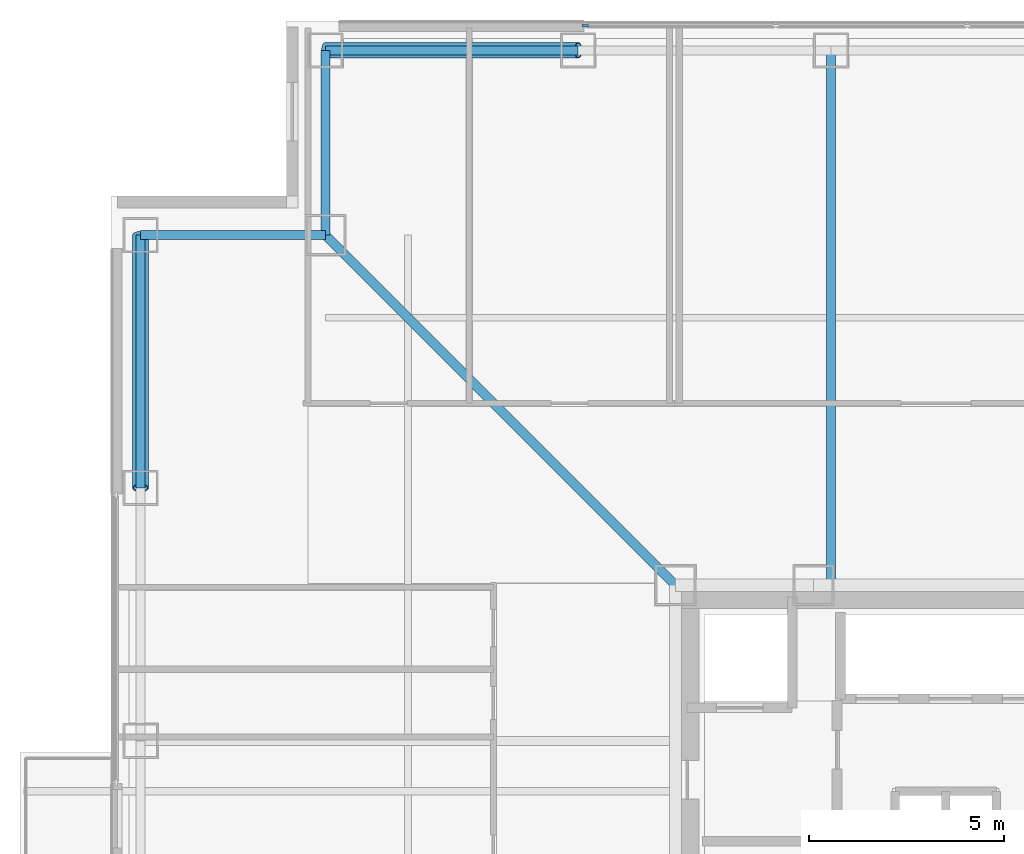
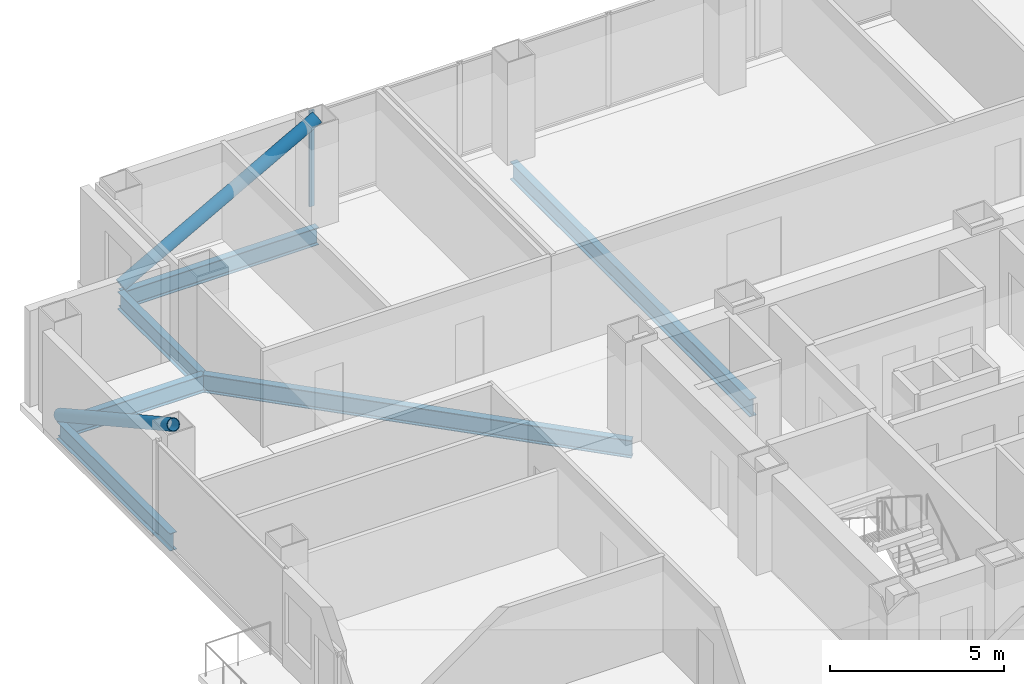
# One storey, part 8 of 16: 6 beams, 3 members, 1 element without a shape of its own.
"""IFC4 building model written with IfcOpenShell, lengths in metres."""

from ifc_helpers import new_model, si_unit, direction, frame, origin, origin_2d, place, context, subcontext, project, spatial, rectangle, hollow_circle, i_section, extrude, material, layer, layer_set, material_profile, profile_set, type_object, element, aggregate, save


model = new_model("IFC4")

# Units and contexts
model_context = context("Model", 3, precision=1e-05, world=origin(), true_north=direction((0.0, 1.0)))
body_context = subcontext(model_context, "Body", "Model", "MODEL_VIEW")
ifc_project = project(units=[si_unit("LENGTHUNIT", "METRE"), si_unit("AREAUNIT", "SQUARE_METRE"), si_unit("VOLUMEUNIT", "CUBIC_METRE"), si_unit("PLANEANGLEUNIT", "RADIAN"), si_unit("MASSUNIT", "GRAM", prefix="KILO")], contexts=[model_context])

# Site, building, storey
site_placement = place(None, origin())
site = spatial("IfcSite", under=ifc_project, at=site_placement, CompositionType="ELEMENT")
building_placement = place(site_placement, origin())
building = spatial("IfcBuilding", under=site, at=building_placement, Name="Trevonay Congress Spire", CompositionType="ELEMENT")
storey_placement = place(building_placement, frame((0.0, 0.0, 144.39990234375)))
storey = spatial("IfcBuildingStorey", under=building, at=storey_placement, Name="L37", CompositionType="ELEMENT", Elevation=144.39990234375)

# Beams
ifc_material_1 = material(Name="Steel ASTM A572 Grade 50", Category="steel")
ifc_material_profile_1 = material_profile(ifc_material_1, i_section(OverallWidth=0.22998046875, OverallDepth=0.616943359375, WebThickness=0.01318359375, FlangeThickness=0.022216796875, FilletRadius=0.01611328125, at=origin_2d()), Name="W610x140")
ifc_profile_set_1 = profile_set([ifc_material_profile_1], Name="Steel ASTM A572 Grade 50")
beam_type_1 = type_object("IfcBeamType", Name="BM-GIRD-W610X140", PredefinedType="BEAM", material=ifc_profile_set_1)
beam_1_placement = place(storey_placement, frame((-7.5, 7.5, -0.54833984375), z_axis=(-0.707106781187, 0.707106781187, 0.0), x_axis=(-0.707106781187, -0.707106781187, 0.0)))
element("IfcBeam", 1, at=beam_1_placement, inside=storey, type_object=beam_type_1, Name="L37 structural beam BM-L37-CDNW", PredefinedType="BEAM", context=body_context, shape_type="SweptSolid", body=[
    extrude(i_section(OverallWidth=0.22998046875, OverallDepth=0.616943359375, WebThickness=0.01318359375, FlangeThickness=0.022216796875, FilletRadius=0.01611328125, at=origin_2d()), origin(), (0.0, 0.0, 1.0), 12.72802734375),
])
beam_2_placement = place(storey_placement, frame((-3.5, 7.5, -0.54833984375), z_axis=(0.0, 1.0, 0.0), x_axis=(-1.0, 0.0, 0.0)))
element("IfcBeam", 2, at=beam_2_placement, inside=storey, type_object=beam_type_1, Name="L37 structural beam BM-L37-GN-M", PredefinedType="BEAM", context=body_context, shape_type="SweptSolid", body=[
    extrude(i_section(OverallWidth=0.22998046875, OverallDepth=0.616943359375, WebThickness=0.01318359375, FlangeThickness=0.022216796875, FilletRadius=0.01611328125, at=origin_2d()), origin(), (0.0, 0.0, 1.0), 13.75),
])
ifc_material_profile_2 = material_profile(ifc_material_1, i_section(OverallWidth=0.22802734375, OverallDepth=0.60791015625, WebThickness=0.01123046875, FlangeThickness=0.017333984375, FilletRadius=0.01611328125, at=origin_2d()), Name="W610x113")
ifc_profile_set_2 = profile_set([ifc_material_profile_2], Name="Steel ASTM A572 Grade 50")
beam_type_2 = type_object("IfcBeamType", Name="BM-RING-W610X113", PredefinedType="BEAM", material=ifc_profile_set_2)
for number, where, z_axis, x_axis, name in (
    (3, (-16.5, 21.25, -0.5439453125), (1.0, 0.0, 0.0), (0.0, 1.0, 0.0), "L37 structural beam BM-L37-PN1"),
    (4, (-21.25, 10.0, -0.5439453125), (0.0, 1.0, 0.0), (-1.0, 0.0, 0.0), "L37 structural beam BM-L37-PW5"),
):
    element("IfcBeam", number, at=place(storey_placement, frame(where, z_axis=z_axis, x_axis=x_axis)), inside=storey, type_object=beam_type_2, Name=name, PredefinedType="BEAM", context=body_context, shape_type="SweptSolid", body=[
        extrude(i_section(OverallWidth=0.22802734375, OverallDepth=0.60791015625, WebThickness=0.01123046875, FlangeThickness=0.017333984375, FilletRadius=0.01611328125, at=origin_2d()), origin(), (0.0, 0.0, 1.0), 6.5),
    ])
for number, where, z_axis, x_axis, name in (
    (5, (-16.5, 21.25, -0.5439453125), (0.0, -1.0, 0.0), (1.0, 0.0, 0.0), "L37 structural beam BM-L37-N1NW"),
    (6, (-21.25, 16.5, -0.5439453125), (1.0, 0.0, 0.0), (0.0, 1.0, 0.0), "L37 structural beam BM-L37-N2NW"),
):
    element("IfcBeam", number, at=place(storey_placement, frame(where, z_axis=z_axis, x_axis=x_axis)), inside=storey, type_object=beam_type_2, Name=name, PredefinedType="BEAM", context=body_context, shape_type="SweptSolid", body=[
        extrude(i_section(OverallWidth=0.22802734375, OverallDepth=0.60791015625, WebThickness=0.01123046875, FlangeThickness=0.017333984375, FilletRadius=0.01611328125, at=origin_2d()), origin(), (0.0, 0.0, 1.0), 4.75),
    ])

# Curtain wall, member
ifc_material_2 = material(Name="Pale Anodised Aluminium EN AW-6063-T6", Category="aluminium")
ifc_layer = layer(ifc_material_2, 0.175048828125, Name="Pale Anodised Aluminium EN AW-6063-T6")
ifc_layer_set = layer_set([ifc_layer], Name="Pale Anodised Aluminium EN AW-6063-T6")
curtain_wall_type = type_object("IfcCurtainWallType", Name="CW-SYS03-CONGRESS-PALE-METAL", PredefinedType="NOTDEFINED", material=ifc_layer_set)
curtain_wall_placement = place(storey_placement, origin())
curtain_wall = element("IfcCurtainWall", 7, at=curtain_wall_placement, inside=storey, type_object=curtain_wall_type, Name="L37 N unitised curtain wall", PredefinedType="NOTDEFINED")
ifc_material_profile_3 = material_profile(ifc_material_2, rectangle(XDim=0.06005859375, YDim=0.159912109375, at=origin_2d()), Name="CW-MULLION-160-ALUMINIUM")
ifc_profile_set_3 = profile_set([ifc_material_profile_3], Name="Pale Anodised Aluminium EN AW-6063-T6")
member_type_1 = type_object("IfcMemberType", Name="CW-MULLION-160-ALUMINIUM", PredefinedType="MULLION", material=ifc_profile_set_3)
member_placement = place(storey_placement, frame((-9.820068359375, 21.8798828125, 0.0), z_axis=(0.0, 0.0, 1.0), x_axis=(0.0, 1.0, 0.0)))
member = element("IfcMember", 8, at=member_placement, type_object=member_type_1, Name="CW03 mullion 1", PredefinedType="MULLION", context=body_context, shape_type="SweptSolid", body=[
    extrude(rectangle(XDim=0.06005859375, YDim=0.159912109375, at=origin_2d()), origin(), (0.0, 0.0, 1.0), 3.360107421875),
])
aggregate(curtain_wall, [member])

# Members
ifc_material_3 = material(Name="Steel ASTM A500 Grade C", Category="steel")
ifc_material_profile_4 = material_profile(ifc_material_3, hollow_circle(Radius=0.203125, WallThickness=0.02001953125, at=origin_2d()), Name="CHS 406.4x20")
ifc_profile_set_4 = profile_set([ifc_material_profile_4], Name="Steel ASTM A500 Grade C")
member_type_2 = type_object("IfcMemberType", Name="MBR-TUBE-CHS406", PredefinedType="BRACE", material=ifc_profile_set_4)
for number, where, z_axis, x_axis, name in (
    (9, (-16.5, 21.25, -0.0498046875), (0.874799711691, 0.0, 0.484484741169), (0.0, 1.0, 0.0), "L37 perimeter braced-tube diagonal N0"),
    (10, (-21.25, 16.5, -0.0498046875), (0.0, -0.874799711691, 0.484484741169), (1.0, 0.0, 0.0), "L37 perimeter braced-tube diagonal W4"),
):
    element("IfcMember", number, at=place(storey_placement, frame(where, z_axis=z_axis, x_axis=x_axis)), inside=storey, type_object=member_type_2, Name=name, PredefinedType="BRACE", context=body_context, shape_type="SweptSolid", body=[
        extrude(hollow_circle(Radius=0.203125, WallThickness=0.02001953125, at=origin_2d()), origin(), (0.0, 0.0, 1.0), 7.43017578125),
    ])

save(model, "model.ifc")
